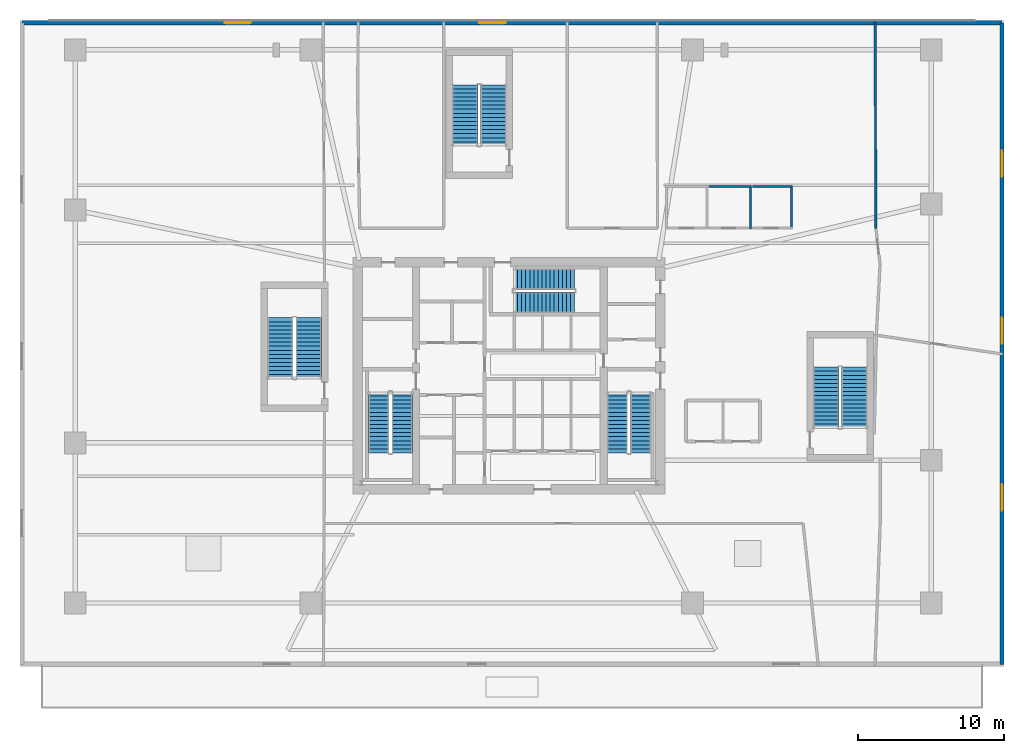
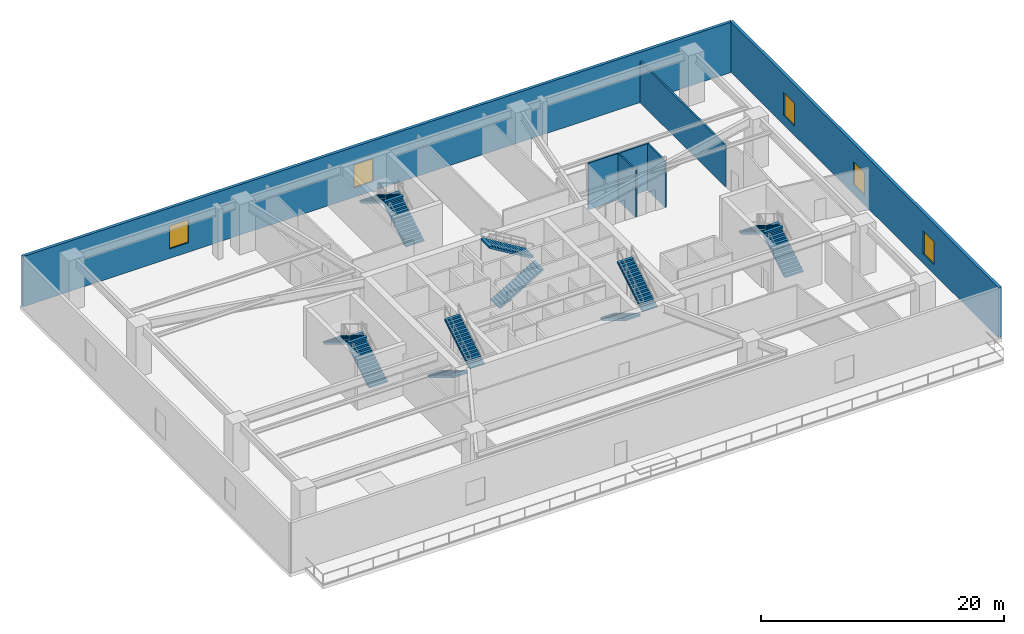
# One storey, part 7 of 11: 12 stair flights, 7 walls, 5 windows, 5 openings, 6 elements without a shape of their own.
"""IFC4 building model written with IfcOpenShell, lengths in metres."""

import ifcopenshell
import ifcopenshell.guid

model = None  # the IFC model being written
_history = None  # IfcOwnerHistory: only IFC2X3 demands one
_inside = {}  # id of a spatial element -> (the spatial element, [elements in it])
_under = {}  # id of a project, library or spatial element -> (it, [spatial elements below it])
_declared = {}  # id of a project -> (the project, [libraries it declares])
_typed = {}  # id of a type object -> (the type object, [elements of that type])
_made_of = {}  # id of a material, layer set ... -> (it, [elements and type objects made of it])


def new_model(schema):
    """Start an empty IFC model of exactly this schema.

    Asked for "IFC4X3", IfcOpenShell would pick the latest addendum, in which some entities
    have other attributes; the version numbers below select the first issue.
    IFC2X3 requires an IfcOwnerHistory on every rooted entity: one is made here for all.
    """
    global model, _history
    if schema == "IFC4X3":
        model = ifcopenshell.file(schema_version=(4, 3, 0, 0))
    else:
        model = ifcopenshell.file(schema=schema)
    _inside.clear()
    _under.clear()
    _declared.clear()
    _typed.clear()
    _made_of.clear()
    _history = None
    if model.schema == "IFC2X3":
        org = make("IfcOrganization", Name="unknown")
        user = make(
            "IfcPersonAndOrganization",
            ThePerson=make("IfcPerson", FamilyName="unknown"),
            TheOrganization=org,
        )
        app = make(
            "IfcApplication",
            ApplicationDeveloper=org,
            Version="unknown",
            ApplicationFullName="unknown",
            ApplicationIdentifier="unknown",
        )
        _history = make(
            "IfcOwnerHistory",
            OwningUser=user,
            OwningApplication=app,
            ChangeAction="ADDED",
            CreationDate=0,
        )
    return model


def make(cls, **values):
    """One entity of the class cls with the attributes given. An attribute that is None is left unset."""
    return model.create_entity(
        cls, **{name: value for name, value in values.items() if value is not None}
    )


def rooted(cls, **values):
    """An entity with a GlobalId (a new one), such as an element, a storey or a relation."""
    return make(cls, GlobalId=ifcopenshell.guid.new(), OwnerHistory=_history, **values)


def si_unit(unit_type, name, prefix=None):
    """IfcSIUnit, for example si_unit("LENGTHUNIT", "METRE", prefix="MILLI")."""
    return make("IfcSIUnit", UnitType=unit_type, Prefix=prefix, Name=name)


def assignment(units):
    """IfcUnitAssignment: the units of a project."""
    return None if units is None else make("IfcUnitAssignment", Units=units)


def point(xyz):
    """IfcCartesianPoint."""
    return None if xyz is None else make("IfcCartesianPoint", Coordinates=xyz)


def direction(xyz):
    """IfcDirection."""
    return None if xyz is None else make("IfcDirection", DirectionRatios=xyz)


def frame(location, z_axis=None, x_axis=None):
    """IfcAxis2Placement3D, a coordinate frame: its origin and axes. An axis left out is left unset."""
    return make(
        "IfcAxis2Placement3D",
        Location=point(location),
        Axis=direction(z_axis),
        RefDirection=direction(x_axis),
    )


def frame_2d(location, x_axis=None):
    """IfcAxis2Placement2D, a coordinate frame in the plane: its origin and x axis."""
    return make(
        "IfcAxis2Placement2D", Location=point(location), RefDirection=direction(x_axis)
    )


def origin():
    """The frame at (0, 0, 0) with its axes left unset."""
    return frame((0.0, 0.0, 0.0))


def place(relative_to, where):
    """IfcLocalPlacement: puts the frame where relative to a parent placement (None: the world)."""
    return make(
        "IfcLocalPlacement", PlacementRelTo=relative_to, RelativePlacement=where
    )


def context(
    kind, dimensions, precision=None, world=None, true_north=None, identifier=None
):
    """IfcGeometricRepresentationContext, for example the 3D "Model" context."""
    return make(
        "IfcGeometricRepresentationContext",
        ContextIdentifier=identifier,
        ContextType=kind,
        CoordinateSpaceDimension=dimensions,
        Precision=precision,
        WorldCoordinateSystem=world,
        TrueNorth=true_north,
    )


def subcontext(parent, identifier, kind, view, scale=None):
    """IfcGeometricRepresentationSubContext, for example "Body" below "Model"."""
    return make(
        "IfcGeometricRepresentationSubContext",
        ContextIdentifier=identifier,
        ContextType=kind,
        ParentContext=parent,
        TargetScale=scale,
        TargetView=view,
    )


def project(units=None, contexts=None):
    """IfcProject with its units and contexts."""
    return rooted(
        "IfcProject",
        Name="project",
        RepresentationContexts=contexts,
        UnitsInContext=assignment(units),
    )


def spatial(cls, under=None, at=None, **own):
    """A site, building, storey or space (cls), placed at a placement, below another one or the project."""
    s = rooted(cls, ObjectPlacement=at, **own)
    if under is not None:
        _under.setdefault(under.id(), (under, []))[1].append(s)
    return s


def polyline(points):
    """IfcPolyline through the points."""
    return make("IfcPolyline", Points=[point(p) for p in points])


def profile(cls, at=None, kind="AREA", **sizes):
    """A parametric profile (cls). Its sizes go by their IFC names, for example OverallWidth=200.0."""
    return make(cls, ProfileType=kind, Position=at, **sizes)


def rectangle(**sizes):
    """IfcRectangleProfileDef."""
    return profile("IfcRectangleProfileDef", **sizes)


def outline(outer, holes=None, kind="AREA"):
    """IfcArbitraryClosedProfileDef: a profile drawn as a closed curve; with holes, ...WithVoids."""
    if holes is None:
        return make("IfcArbitraryClosedProfileDef", ProfileType=kind, OuterCurve=outer)
    return make(
        "IfcArbitraryProfileDefWithVoids",
        ProfileType=kind,
        OuterCurve=outer,
        InnerCurves=holes,
    )


def extrude(swept, where, along, depth):
    """IfcExtrudedAreaSolid: the profile swept, set in the frame where, extruded along a direction by depth."""
    return make(
        "IfcExtrudedAreaSolid",
        SweptArea=swept,
        Position=where,
        ExtrudedDirection=direction(along),
        Depth=depth,
    )


def shape(context_of_items, identifier, shape_type, items):
    """IfcShapeRepresentation: the items that make up one representation, for example the "Body"."""
    return make(
        "IfcShapeRepresentation",
        ContextOfItems=context_of_items,
        RepresentationIdentifier=identifier,
        RepresentationType=shape_type,
        Items=items,
    )


def material(Name=None, Category=None):
    """IfcMaterial."""
    return make("IfcMaterial", Name=Name, Category=Category)


def layer(
    of_material, thickness, ventilated=None, Name=None, Category=None, Priority=None
):
    """IfcMaterialLayer: one layer of a wall or slab, of a material (None: an air gap)."""
    return make(
        "IfcMaterialLayer",
        Material=of_material,
        LayerThickness=thickness,
        IsVentilated=ventilated,
        Name=Name,
        Category=Category,
        Priority=Priority,
    )


def layer_set(layers, Name=None):
    """IfcMaterialLayerSet."""
    return make("IfcMaterialLayerSet", MaterialLayers=layers, LayerSetName=Name)


def made_of(thing, what):
    """Note that an element or type object is made of a material, layer set ...; save() writes the relation."""
    if what is not None:
        _made_of.setdefault(what.id(), (what, []))[1].append(thing)
    return thing


def type_object(cls, material=None, **own):
    """A type object (cls), such as IfcWallType, which elements share."""
    return made_of(rooted(cls, **own), material)


def element(
    cls,
    number,
    at=None,
    inside=None,
    cuts=None,
    type_object=None,
    material=None,
    context=None,
    identifier="Body",
    shape_type=None,
    held_by="IfcProductDefinitionShape",
    body=None,
    shapes=None,
    **own,
):
    """One element of the class cls, such as IfcWall. Its Tag is "e" and its number.

    at: its placement. inside: the storey or other place that contains it. cuts: it is an
    opening in that element (IfcRelVoidsElement). A single representation is given by context,
    identifier, shape_type and body (its items); several are given by shapes. held_by: the class
    of the entity that holds the representations. save() writes the other relations.
    """
    e = rooted(cls, Tag="e%d" % number, ObjectPlacement=at, **own)
    if body is not None:
        shapes = [shape(context, identifier, shape_type, body)]
    if shapes is not None:
        e.Representation = make(held_by, Representations=shapes)
    if inside is not None:
        _inside.setdefault(inside.id(), (inside, []))[1].append(e)
    if cuts is not None:
        rooted(
            "IfcRelVoidsElement", RelatingBuildingElement=cuts, RelatedOpeningElement=e
        )
    if type_object is not None:
        _typed.setdefault(type_object.id(), (type_object, []))[1].append(e)
    return made_of(e, material)


def fill(opening, filler):
    """IfcRelFillsElement: the door or window that sits in an opening."""
    return rooted(
        "IfcRelFillsElement",
        RelatingOpeningElement=opening,
        RelatedBuildingElement=filler,
    )


def aggregate(whole, parts):
    """IfcRelAggregates: a whole, such as a stair, and the parts it consists of."""
    return rooted("IfcRelAggregates", RelatingObject=whole, RelatedObjects=parts)


def save(model, path):
    """Write the relations noted so far, then the file.

    IfcRelAggregates (storeys below a building ...), IfcRelContainedInSpatialStructure (elements
    in a storey), IfcRelDefinesByType, IfcRelAssociatesMaterial and IfcRelDeclares: one each for
    every whole, place, type object, material and project.
    """
    for whole, parts in _under.values():
        aggregate(whole, parts)
    for where, things in _inside.values():
        rooted(
            "IfcRelContainedInSpatialStructure",
            RelatedElements=things,
            RelatingStructure=where,
        )
    for kind, things in _typed.values():
        rooted("IfcRelDefinesByType", RelatedObjects=things, RelatingType=kind)
    for what, things in _made_of.values():
        rooted("IfcRelAssociatesMaterial", RelatedObjects=things, RelatingMaterial=what)
    for by, libraries in _declared.values():
        rooted("IfcRelDeclares", RelatingContext=by, RelatedDefinitions=libraries)
    model.write(path)


model = new_model("IFC4")

# Units and contexts
model_context = context("Model", 3, precision=1e-05, world=origin(), true_north=direction((0.0, 1.0)))
body_context = subcontext(model_context, "Body", "Model", "MODEL_VIEW")
ifc_project = project(units=[si_unit("LENGTHUNIT", "METRE"), si_unit("AREAUNIT", "SQUARE_METRE"), si_unit("VOLUMEUNIT", "CUBIC_METRE"), si_unit("PLANEANGLEUNIT", "RADIAN"), si_unit("MASSUNIT", "GRAM", prefix="KILO")], contexts=[model_context])

# Site, building, storey
site_placement = place(None, origin())
site = spatial("IfcSite", under=ifc_project, at=site_placement, CompositionType="ELEMENT")
building_placement = place(site_placement, origin())
building = spatial("IfcBuilding", under=site, at=building_placement, Name="Qarnah Convention Tower", CompositionType="ELEMENT")
storey_placement = place(building_placement, frame((0.0, 0.0, 10.800048828125)))
storey = spatial("IfcBuildingStorey", under=building, at=storey_placement, Name="L02", CompositionType="ELEMENT", Elevation=10.800048828125)

# Wall
ifc_material_1 = material(Name="Gypsum partition board")
ifc_layer_1 = layer(ifc_material_1, 0.159912109375)
ifc_layer_set_1 = layer_set([ifc_layer_1], Name="Gypsum partition board")
wall_type_1 = type_object("IfcWallType", Name="WL-CORR-160", PredefinedType="PARTITIONING", material=ifc_layer_set_1)
wall_1_placement = place(storey_placement, frame((62.343017578125, 50.743896484375, 0.0), z_axis=(0.0, 0.0, 1.0), x_axis=(0.00400484937, -0.999991980559, 0.0)))
element("IfcWall", 1, at=wall_1_placement, inside=storey, type_object=wall_type_1, Name="L02 interior wall IW-L02-R-19", PredefinedType="PARTITIONING", context=body_context, shape_type="SweptSolid", body=[
    extrude(rectangle(XDim=14.203857421875, YDim=0.159912109375, at=frame_2d((7.10205078125, 0.0))), origin(), (0.0, 0.0, 1.0), 4.135009765625),
])

# Wall, openings, windows
ifc_material_2 = material(Name="Precast concrete C45/55", Category="concrete")
ifc_layer_2 = layer(ifc_material_2, 0.280029296875)
ifc_layer_set_2 = layer_set([ifc_layer_2], Name="Precast concrete C45/55")
wall_type_2 = type_object("IfcWallType", Name="WL-EXT-POD-280", PredefinedType="SOLIDWALL", material=ifc_layer_set_2)
wall_2_placement = place(storey_placement, frame((3.739990234375, 50.659912109375, 0.0), z_axis=(0.0, 0.0, 1.0), x_axis=(1.0, 0.0, 0.0)))
wall_2 = element("IfcWall", 2, at=wall_2_placement, inside=storey, type_object=wall_type_2, Name="L02 precast facade wall N", PredefinedType="SOLIDWALL", context=body_context, shape_type="SweptSolid", body=[
    extrude(rectangle(XDim=67.320068359375, YDim=0.280029296875, at=frame_2d((33.66015625, 0.0))), origin(), (0.0, 0.0, 1.0), 5.050048828125),
])
opening_1_placement = place(wall_2_placement, frame((13.909912109375, 0.0, 0.949951171875)))
opening_1 = element("IfcOpeningElement", 3, at=opening_1_placement, cuts=wall_2, Name="Opening WN2", PredefinedType="OPENING", context=body_context, shape_type="SweptSolid", body=[
    extrude(rectangle(XDim=1.800048828125, YDim=2.300048828125, at=frame_2d((0.89990234375, 1.14990234375))), frame((0.0, 0.14990234375, 0.0), z_axis=(0.0, -1.0, 0.0), x_axis=(1.0, 0.0, 0.0)), (0.0, 0.0, 1.0), 0.300048828125),
])
opening_2_placement = place(wall_2_placement, frame((31.4140625, 0.0, 0.949951171875)))
opening_2 = element("IfcOpeningElement", 4, at=opening_2_placement, cuts=wall_2, Name="Opening WN2", PredefinedType="OPENING", context=body_context, shape_type="SweptSolid", body=[
    extrude(rectangle(XDim=1.800048828125, YDim=2.300048828125, at=frame_2d((0.89990234375, 1.14990234375))), frame((0.0, 0.14990234375, 0.0), z_axis=(0.0, -1.0, 0.0), x_axis=(1.0, 0.0, 0.0)), (0.0, 0.0, 1.0), 0.300048828125),
])
ifc_material_3 = material(Name="Tempered Low-E dark glass", Category="glass")
window_type = type_object("IfcWindowType", Name="WT-POD-1800X2400", PartitioningType="SINGLE_PANEL", PredefinedType="WINDOW", material=ifc_material_3)
window_1_placement = place(opening_1_placement, origin())
window_1 = element("IfcWindow", 5, at=window_1_placement, inside=storey, type_object=window_type, Name="Window WIN-L02-N1", OverallHeight=2.300048828125, OverallWidth=1.800048828125, PartitioningType="SINGLE_PANEL", PredefinedType="WINDOW", context=body_context, shape_type="SweptSolid", body=[
    extrude(rectangle(XDim=1.800048828125, YDim=2.300048828125, at=frame_2d((0.89990234375, 1.14990234375))), frame((0.0, 0.030029296875, 0.0), z_axis=(0.0, -1.0, 0.0), x_axis=(1.0, 0.0, 0.0)), (0.0, 0.0, 1.0), 0.06005859375),
])
fill(opening_1, window_1)
window_2_placement = place(opening_2_placement, origin())
window_2 = element("IfcWindow", 6, at=window_2_placement, inside=storey, type_object=window_type, Name="Window WIN-L02-N2", OverallHeight=2.300048828125, OverallWidth=1.800048828125, PartitioningType="SINGLE_PANEL", PredefinedType="WINDOW", context=body_context, shape_type="SweptSolid", body=[
    extrude(rectangle(XDim=1.800048828125, YDim=2.300048828125, at=frame_2d((0.89990234375, 1.14990234375))), frame((0.0, 0.030029296875, 0.0), z_axis=(0.0, -1.0, 0.0), x_axis=(1.0, 0.0, 0.0)), (0.0, 0.0, 1.0), 0.06005859375),
])
fill(opening_2, window_2)

wall_3_placement = place(storey_placement, frame((71.06005859375, 50.659912109375, 0.0), z_axis=(0.0, 0.0, 1.0), x_axis=(0.0, -1.0, 0.0)))
wall_3 = element("IfcWall", 7, at=wall_3_placement, inside=storey, type_object=wall_type_2, Name="L02 precast facade wall E", PredefinedType="SOLIDWALL", context=body_context, shape_type="SweptSolid", body=[
    extrude(rectangle(XDim=44.06982421875, YDim=0.280029296875, at=frame_2d((22.034912109375, 0.0))), origin(), (0.0, 0.0, 1.0), 5.050048828125),
])
opening_3_placement = place(wall_3_placement, frame((8.794921875, 0.0, 0.949951171875)))
opening_3 = element("IfcOpeningElement", 8, at=opening_3_placement, cuts=wall_3, Name="Opening WN2", PredefinedType="OPENING", context=body_context, shape_type="SweptSolid", body=[
    extrude(rectangle(XDim=1.800048828125, YDim=2.300048828125, at=frame_2d((0.89990234375, 1.14990234375))), frame((0.0, 0.14990234375, 0.0), z_axis=(0.0, -1.0, 0.0), x_axis=(1.0, 0.0, 0.0)), (0.0, 0.0, 1.0), 0.300048828125),
])
opening_4_placement = place(wall_3_placement, frame((20.25390625, 0.0, 0.949951171875)))
opening_4 = element("IfcOpeningElement", 9, at=opening_4_placement, cuts=wall_3, Name="Opening WN2", PredefinedType="OPENING", context=body_context, shape_type="SweptSolid", body=[
    extrude(rectangle(XDim=1.800048828125, YDim=2.300048828125, at=frame_2d((0.89990234375, 1.14990234375))), frame((0.0, 0.14990234375, 0.0), z_axis=(0.0, -1.0, 0.0), x_axis=(1.0, 0.0, 0.0)), (0.0, 0.0, 1.0), 0.300048828125),
])
opening_5_placement = place(wall_3_placement, frame((31.7119140625, 0.0, 0.949951171875)))
opening_5 = element("IfcOpeningElement", 10, at=opening_5_placement, cuts=wall_3, Name="Opening WN2", PredefinedType="OPENING", context=body_context, shape_type="SweptSolid", body=[
    extrude(rectangle(XDim=1.800048828125, YDim=2.300048828125, at=frame_2d((0.89990234375, 1.14990234375))), frame((0.0, 0.14990234375, 0.0), z_axis=(0.0, -1.0, 0.0), x_axis=(1.0, 0.0, 0.0)), (0.0, 0.0, 1.0), 0.300048828125),
])
window_3_placement = place(opening_3_placement, origin())
window_3 = element("IfcWindow", 11, at=window_3_placement, inside=storey, type_object=window_type, Name="Window WIN-L02-E1", OverallHeight=2.300048828125, OverallWidth=1.800048828125, PartitioningType="SINGLE_PANEL", PredefinedType="WINDOW", context=body_context, shape_type="SweptSolid", body=[
    extrude(rectangle(XDim=1.800048828125, YDim=2.300048828125, at=frame_2d((0.89990234375, 1.14990234375))), frame((0.0, 0.030029296875, 0.0), z_axis=(0.0, -1.0, 0.0), x_axis=(1.0, 0.0, 0.0)), (0.0, 0.0, 1.0), 0.06005859375),
])
fill(opening_3, window_3)
window_4_placement = place(opening_4_placement, origin())
window_4 = element("IfcWindow", 12, at=window_4_placement, inside=storey, type_object=window_type, Name="Window WIN-L02-E2", OverallHeight=2.300048828125, OverallWidth=1.800048828125, PartitioningType="SINGLE_PANEL", PredefinedType="WINDOW", context=body_context, shape_type="SweptSolid", body=[
    extrude(rectangle(XDim=1.800048828125, YDim=2.300048828125, at=frame_2d((0.89990234375, 1.14990234375))), frame((0.0, 0.030029296875, 0.0), z_axis=(0.0, -1.0, 0.0), x_axis=(1.0, 0.0, 0.0)), (0.0, 0.0, 1.0), 0.06005859375),
])
fill(opening_4, window_4)
window_5_placement = place(opening_5_placement, origin())
window_5 = element("IfcWindow", 13, at=window_5_placement, inside=storey, type_object=window_type, Name="Window WIN-L02-E3", OverallHeight=2.300048828125, OverallWidth=1.800048828125, PartitioningType="SINGLE_PANEL", PredefinedType="WINDOW", context=body_context, shape_type="SweptSolid", body=[
    extrude(rectangle(XDim=1.800048828125, YDim=2.300048828125, at=frame_2d((0.89990234375, 1.14990234375))), frame((0.0, 0.030029296875, 0.0), z_axis=(0.0, -1.0, 0.0), x_axis=(1.0, 0.0, 0.0)), (0.0, 0.0, 1.0), 0.06005859375),
])
fill(opening_5, window_5)

# Walls
ifc_layer_3 = layer(ifc_material_1, 0.139892578125)
ifc_layer_set_3 = layer_set([ifc_layer_3], Name="Gypsum partition board")
wall_type_3 = type_object("IfcWallType", Name="WL-WET-140", PredefinedType="PARTITIONING", material=ifc_layer_set_3)
wall_4_placement = place(storey_placement, frame((53.800048828125, 36.47998046875, 0.0), z_axis=(0.0, 0.0, 1.0), x_axis=(0.0, 1.0, 0.0)))
element("IfcWall", 14, at=wall_4_placement, inside=storey, type_object=wall_type_3, Name="L02 interior wall IW-L02-WCF-2", PredefinedType="PARTITIONING", context=body_context, shape_type="SweptSolid", body=[
    extrude(rectangle(XDim=2.989990234375, YDim=0.139892578125, at=frame_2d((1.4951171875, 0.0))), origin(), (0.0, 0.0, 1.0), 4.678955078125),
])
wall_5_placement = place(storey_placement, frame((53.8701171875, 39.39990234375, 0.0), z_axis=(0.0, 0.0, 1.0), x_axis=(-1.0, 0.0, 0.0)))
element("IfcWall", 15, at=wall_5_placement, inside=storey, type_object=wall_type_3, Name="L02 interior wall IW-L02-WCF-3", PredefinedType="PARTITIONING", context=body_context, shape_type="SweptSolid", body=[
    extrude(rectangle(XDim=2.940185546875, YDim=0.139892578125, at=frame_2d((1.47021484375, 0.0))), origin(), (0.0, 0.0, 1.0), 4.678955078125),
])
wall_6_placement = place(storey_placement, frame((56.60009765625, 36.47998046875, 0.0), z_axis=(0.0, 0.0, 1.0), x_axis=(0.0, 1.0, 0.0)))
element("IfcWall", 16, at=wall_6_placement, inside=storey, type_object=wall_type_3, Name="L02 interior wall IW-L02-WCA-2", PredefinedType="PARTITIONING", context=body_context, shape_type="SweptSolid", body=[
    extrude(rectangle(XDim=2.989990234375, YDim=0.139892578125, at=frame_2d((1.4951171875, 0.0))), origin(), (0.0, 0.0, 1.0), 4.678955078125),
])
wall_7_placement = place(storey_placement, frame((56.669921875, 39.39990234375, 0.0), z_axis=(0.0, 0.0, 1.0), x_axis=(-1.0, 0.0, 0.0)))
element("IfcWall", 17, at=wall_7_placement, inside=storey, type_object=wall_type_3, Name="L02 interior wall IW-L02-WCA-3", PredefinedType="PARTITIONING", context=body_context, shape_type="SweptSolid", body=[
    extrude(rectangle(XDim=2.739990234375, YDim=0.139892578125, at=frame_2d((1.3701171875, 0.0))), origin(), (0.0, 0.0, 1.0), 4.678955078125),
])

# Stair, stair flights
ifc_material_4 = material(Name="Concrete C50/60", Category="concrete")
stair_type_1 = type_object("IfcStairType", Name="STR-POD", PredefinedType="HALF_TURN_STAIR", material=ifc_material_4)
stair_1_placement = place(storey_placement, origin())
stair_1 = element("IfcStair", 18, at=stair_1_placement, inside=storey, type_object=stair_type_1, Name="L02 Core exit stair ST-1", PredefinedType="HALF_TURN_STAIR")
stair_flight_type_1 = type_object("IfcStairFlightType", Name="FLT-POD", PredefinedType="STRAIGHT", material=ifc_material_4)
stair_flight_1_placement = place(storey_placement, frame((28.25, 25.300048828125, 0.0), z_axis=(0.0, 0.0, 1.0), x_axis=(0.0, -1.0, 0.0)))
stair_flight_1 = element("IfcStairFlight", 19, at=stair_flight_1_placement, type_object=stair_flight_type_1, Name="ST-1 flight 1", NumberOfRisers=16, NumberOfTreads=15, PredefinedType="STRAIGHT", RiserHeight=0.16875, TreadLength=0.28, context=body_context, shape_type="SweptSolid", body=[
    extrude(outline(polyline([(0.0, 0.0), (0.0, 0.168701171875), (0.280029296875, 0.168701171875), (0.280029296875, 0.33740234375), (0.56005859375, 0.33740234375), (0.56005859375, 0.50634765625), (0.840087890625, 0.50634765625), (0.840087890625, 0.675048828125), (1.1201171875, 0.675048828125), (1.1201171875, 0.84375), (1.39990234375, 0.84375), (1.39990234375, 1.012451171875), (1.679931640625, 1.012451171875), (1.679931640625, 1.18115234375), (1.9599609375, 1.18115234375), (1.9599609375, 1.35009765625), (2.239990234375, 1.35009765625), (2.239990234375, 1.518798828125), (2.52001953125, 1.518798828125), (2.52001953125, 1.6875), (2.800048828125, 1.6875), (2.800048828125, 1.856201171875), (3.080078125, 1.856201171875), (3.080078125, 2.02490234375), (3.360107421875, 2.02490234375), (3.360107421875, 2.19384765625), (3.639892578125, 2.19384765625), (3.639892578125, 2.362548828125), (3.919921875, 2.362548828125), (3.919921875, 2.53125), (4.199951171875, 2.53125), (4.199951171875, 2.699951171875), (4.199951171875, 2.356201171875), (0.29052734375, 0.0), (0.0, 0.0)])), frame((0.0, 0.699951171875, 0.0), z_axis=(0.0, -1.0, 0.0), x_axis=(1.0, 0.0, 0.0)), (0.0, 0.0, 1.0), 1.39990234375),
])
stair_flight_2_placement = place(storey_placement, frame((29.85009765625, 21.10009765625, 2.699951171875), z_axis=(0.0, 0.0, 1.0), x_axis=(0.0, 1.0, 0.0)))
stair_flight_2 = element("IfcStairFlight", 20, at=stair_flight_2_placement, type_object=stair_flight_type_1, Name="ST-1 flight 2", NumberOfRisers=16, NumberOfTreads=15, PredefinedType="STRAIGHT", RiserHeight=0.16875, TreadLength=0.28, context=body_context, shape_type="SweptSolid", body=[
    extrude(outline(polyline([(0.0, 0.0), (0.0, 0.168701171875), (0.280029296875, 0.168701171875), (0.280029296875, 0.33740234375), (0.56005859375, 0.33740234375), (0.56005859375, 0.50634765625), (0.840087890625, 0.50634765625), (0.840087890625, 0.675048828125), (1.1201171875, 0.675048828125), (1.1201171875, 0.84375), (1.39990234375, 0.84375), (1.39990234375, 1.012451171875), (1.679931640625, 1.012451171875), (1.679931640625, 1.18115234375), (1.9599609375, 1.18115234375), (1.9599609375, 1.35009765625), (2.239990234375, 1.35009765625), (2.239990234375, 1.518798828125), (2.52001953125, 1.518798828125), (2.52001953125, 1.6875), (2.800048828125, 1.6875), (2.800048828125, 1.856201171875), (3.080078125, 1.856201171875), (3.080078125, 2.02490234375), (3.360107421875, 2.02490234375), (3.360107421875, 2.19384765625), (3.639892578125, 2.19384765625), (3.639892578125, 2.362548828125), (3.919921875, 2.362548828125), (3.919921875, 2.53125), (4.199951171875, 2.53125), (4.199951171875, 2.699951171875), (4.199951171875, 2.356201171875), (0.29052734375, 0.0), (0.0, 0.0)])), frame((0.0, 0.699951171875, 0.0), z_axis=(0.0, -1.0, 0.0), x_axis=(1.0, 0.0, 0.0)), (0.0, 0.0, 1.0), 1.39990234375),
])
aggregate(stair_1, [stair_flight_1, stair_flight_2])

stair_2_placement = place(storey_placement, origin())
stair_2 = element("IfcStair", 21, at=stair_2_placement, inside=storey, type_object=stair_type_1, Name="L02 Core exit stair ST-2", PredefinedType="HALF_TURN_STAIR")
stair_flight_3_placement = place(storey_placement, frame((44.64990234375, 25.300048828125, 0.0), z_axis=(0.0, 0.0, 1.0), x_axis=(0.0, -1.0, 0.0)))
stair_flight_3 = element("IfcStairFlight", 22, at=stair_flight_3_placement, type_object=stair_flight_type_1, Name="ST-2 flight 1", NumberOfRisers=16, NumberOfTreads=15, PredefinedType="STRAIGHT", RiserHeight=0.16875, TreadLength=0.28, context=body_context, shape_type="SweptSolid", body=[
    extrude(outline(polyline([(0.0, 0.0), (0.0, 0.168701171875), (0.280029296875, 0.168701171875), (0.280029296875, 0.33740234375), (0.56005859375, 0.33740234375), (0.56005859375, 0.50634765625), (0.840087890625, 0.50634765625), (0.840087890625, 0.675048828125), (1.1201171875, 0.675048828125), (1.1201171875, 0.84375), (1.39990234375, 0.84375), (1.39990234375, 1.012451171875), (1.679931640625, 1.012451171875), (1.679931640625, 1.18115234375), (1.9599609375, 1.18115234375), (1.9599609375, 1.35009765625), (2.239990234375, 1.35009765625), (2.239990234375, 1.518798828125), (2.52001953125, 1.518798828125), (2.52001953125, 1.6875), (2.800048828125, 1.6875), (2.800048828125, 1.856201171875), (3.080078125, 1.856201171875), (3.080078125, 2.02490234375), (3.360107421875, 2.02490234375), (3.360107421875, 2.19384765625), (3.639892578125, 2.19384765625), (3.639892578125, 2.362548828125), (3.919921875, 2.362548828125), (3.919921875, 2.53125), (4.199951171875, 2.53125), (4.199951171875, 2.699951171875), (4.199951171875, 2.356201171875), (0.29052734375, 0.0), (0.0, 0.0)])), frame((0.0, 0.699951171875, 0.0), z_axis=(0.0, -1.0, 0.0), x_axis=(1.0, 0.0, 0.0)), (0.0, 0.0, 1.0), 1.39990234375),
])
stair_flight_4_placement = place(storey_placement, frame((46.25, 21.10009765625, 2.699951171875), z_axis=(0.0, 0.0, 1.0), x_axis=(0.0, 1.0, 0.0)))
stair_flight_4 = element("IfcStairFlight", 23, at=stair_flight_4_placement, type_object=stair_flight_type_1, Name="ST-2 flight 2", NumberOfRisers=16, NumberOfTreads=15, PredefinedType="STRAIGHT", RiserHeight=0.16875, TreadLength=0.28, context=body_context, shape_type="SweptSolid", body=[
    extrude(outline(polyline([(0.0, 0.0), (0.0, 0.168701171875), (0.280029296875, 0.168701171875), (0.280029296875, 0.33740234375), (0.56005859375, 0.33740234375), (0.56005859375, 0.50634765625), (0.840087890625, 0.50634765625), (0.840087890625, 0.675048828125), (1.1201171875, 0.675048828125), (1.1201171875, 0.84375), (1.39990234375, 0.84375), (1.39990234375, 1.012451171875), (1.679931640625, 1.012451171875), (1.679931640625, 1.18115234375), (1.9599609375, 1.18115234375), (1.9599609375, 1.35009765625), (2.239990234375, 1.35009765625), (2.239990234375, 1.518798828125), (2.52001953125, 1.518798828125), (2.52001953125, 1.6875), (2.800048828125, 1.6875), (2.800048828125, 1.856201171875), (3.080078125, 1.856201171875), (3.080078125, 2.02490234375), (3.360107421875, 2.02490234375), (3.360107421875, 2.19384765625), (3.639892578125, 2.19384765625), (3.639892578125, 2.362548828125), (3.919921875, 2.362548828125), (3.919921875, 2.53125), (4.199951171875, 2.53125), (4.199951171875, 2.699951171875), (4.199951171875, 2.356201171875), (0.29052734375, 0.0), (0.0, 0.0)])), frame((0.0, 0.699951171875, 0.0), z_axis=(0.0, -1.0, 0.0), x_axis=(1.0, 0.0, 0.0)), (0.0, 0.0, 1.0), 1.39990234375),
])
aggregate(stair_2, [stair_flight_3, stair_flight_4])

stair_3_placement = place(storey_placement, origin())
stair_3 = element("IfcStair", 24, at=stair_3_placement, inside=storey, type_object=stair_type_1, Name="L02 Core exit stair ST-3", PredefinedType="HALF_TURN_STAIR")
stair_flight_5_placement = place(storey_placement, frame((37.5, 31.449951171875, 0.0), z_axis=(0.0, 0.0, 1.0), x_axis=(1.0, 0.0, 0.0)))
stair_flight_5 = element("IfcStairFlight", 25, at=stair_flight_5_placement, type_object=stair_flight_type_1, Name="ST-3 flight 1", NumberOfRisers=16, NumberOfTreads=15, PredefinedType="STRAIGHT", RiserHeight=0.16875, TreadLength=0.28, context=body_context, shape_type="SweptSolid", body=[
    extrude(outline(polyline([(0.0, 0.0), (0.0, 0.168701171875), (0.280029296875, 0.168701171875), (0.280029296875, 0.33740234375), (0.56005859375, 0.33740234375), (0.56005859375, 0.50634765625), (0.840087890625, 0.50634765625), (0.840087890625, 0.675048828125), (1.1201171875, 0.675048828125), (1.1201171875, 0.84375), (1.39990234375, 0.84375), (1.39990234375, 1.012451171875), (1.679931640625, 1.012451171875), (1.679931640625, 1.18115234375), (1.9599609375, 1.18115234375), (1.9599609375, 1.35009765625), (2.239990234375, 1.35009765625), (2.239990234375, 1.518798828125), (2.52001953125, 1.518798828125), (2.52001953125, 1.6875), (2.800048828125, 1.6875), (2.800048828125, 1.856201171875), (3.080078125, 1.856201171875), (3.080078125, 2.02490234375), (3.360107421875, 2.02490234375), (3.360107421875, 2.19384765625), (3.639892578125, 2.19384765625), (3.639892578125, 2.362548828125), (3.919921875, 2.362548828125), (3.919921875, 2.53125), (4.199951171875, 2.53125), (4.199951171875, 2.699951171875), (4.199951171875, 2.356201171875), (0.29052734375, 0.0), (0.0, 0.0)])), frame((0.0, 0.699951171875, 0.0), z_axis=(0.0, -1.0, 0.0), x_axis=(1.0, 0.0, 0.0)), (0.0, 0.0, 1.0), 1.39990234375),
])
stair_flight_6_placement = place(storey_placement, frame((41.699951171875, 33.050048828125, 2.699951171875), z_axis=(0.0, 0.0, 1.0), x_axis=(-1.0, 0.0, 0.0)))
stair_flight_6 = element("IfcStairFlight", 26, at=stair_flight_6_placement, type_object=stair_flight_type_1, Name="ST-3 flight 2", NumberOfRisers=16, NumberOfTreads=15, PredefinedType="STRAIGHT", RiserHeight=0.16875, TreadLength=0.28, context=body_context, shape_type="SweptSolid", body=[
    extrude(outline(polyline([(0.0, 0.0), (0.0, 0.168701171875), (0.280029296875, 0.168701171875), (0.280029296875, 0.33740234375), (0.56005859375, 0.33740234375), (0.56005859375, 0.50634765625), (0.840087890625, 0.50634765625), (0.840087890625, 0.675048828125), (1.1201171875, 0.675048828125), (1.1201171875, 0.84375), (1.39990234375, 0.84375), (1.39990234375, 1.012451171875), (1.679931640625, 1.012451171875), (1.679931640625, 1.18115234375), (1.9599609375, 1.18115234375), (1.9599609375, 1.35009765625), (2.239990234375, 1.35009765625), (2.239990234375, 1.518798828125), (2.52001953125, 1.518798828125), (2.52001953125, 1.6875), (2.800048828125, 1.6875), (2.800048828125, 1.856201171875), (3.080078125, 1.856201171875), (3.080078125, 2.02490234375), (3.360107421875, 2.02490234375), (3.360107421875, 2.19384765625), (3.639892578125, 2.19384765625), (3.639892578125, 2.362548828125), (3.919921875, 2.362548828125), (3.919921875, 2.53125), (4.199951171875, 2.53125), (4.199951171875, 2.699951171875), (4.199951171875, 2.356201171875), (0.29052734375, 0.0), (0.0, 0.0)])), frame((0.0, 0.699951171875, 0.0), z_axis=(0.0, -1.0, 0.0), x_axis=(1.0, 0.0, 0.0)), (0.0, 0.0, 1.0), 1.39990234375),
])
aggregate(stair_3, [stair_flight_5, stair_flight_6])

stair_type_2 = type_object("IfcStairType", Name="STR-PODW", PredefinedType="HALF_TURN_STAIR", material=ifc_material_4)
stair_4_placement = place(storey_placement, origin())
stair_4 = element("IfcStair", 27, at=stair_4_placement, inside=storey, type_object=stair_type_2, Name="L02 Podium east convention exit stair ST-4", PredefinedType="HALF_TURN_STAIR")
stair_flight_type_2 = type_object("IfcStairFlightType", Name="FLT-PODW", PredefinedType="STRAIGHT", material=ifc_material_4)
stair_flight_7_placement = place(storey_placement, frame((60.925048828125, 22.800048828125, 0.0), z_axis=(0.0, 0.0, 1.0), x_axis=(0.0, 1.0, 0.0)))
stair_flight_7 = element("IfcStairFlight", 28, at=stair_flight_7_placement, type_object=stair_flight_type_2, Name="ST-4 flight 1", NumberOfRisers=16, NumberOfTreads=15, PredefinedType="STRAIGHT", RiserHeight=0.16875, TreadLength=0.28, context=body_context, shape_type="SweptSolid", body=[
    extrude(outline(polyline([(0.0, 0.0), (0.0, 0.168701171875), (0.280029296875, 0.168701171875), (0.280029296875, 0.33740234375), (0.56005859375, 0.33740234375), (0.56005859375, 0.50634765625), (0.840087890625, 0.50634765625), (0.840087890625, 0.675048828125), (1.1201171875, 0.675048828125), (1.1201171875, 0.84375), (1.39990234375, 0.84375), (1.39990234375, 1.012451171875), (1.679931640625, 1.012451171875), (1.679931640625, 1.18115234375), (1.9599609375, 1.18115234375), (1.9599609375, 1.35009765625), (2.239990234375, 1.35009765625), (2.239990234375, 1.518798828125), (2.52001953125, 1.518798828125), (2.52001953125, 1.6875), (2.800048828125, 1.6875), (2.800048828125, 1.856201171875), (3.080078125, 1.856201171875), (3.080078125, 2.02490234375), (3.360107421875, 2.02490234375), (3.360107421875, 2.19384765625), (3.639892578125, 2.19384765625), (3.639892578125, 2.362548828125), (3.919921875, 2.362548828125), (3.919921875, 2.53125), (4.199951171875, 2.53125), (4.199951171875, 2.699951171875), (4.199951171875, 2.356201171875), (0.29052734375, 0.0), (0.0, 0.0)])), frame((0.0, 0.875, 0.0), z_axis=(0.0, -1.0, 0.0), x_axis=(1.0, 0.0, 0.0)), (0.0, 0.0, 1.0), 1.75),
])
stair_flight_8_placement = place(storey_placement, frame((58.97509765625, 27.0, 2.699951171875), z_axis=(0.0, 0.0, 1.0), x_axis=(0.0, -1.0, 0.0)))
stair_flight_8 = element("IfcStairFlight", 29, at=stair_flight_8_placement, type_object=stair_flight_type_2, Name="ST-4 flight 2", NumberOfRisers=16, NumberOfTreads=15, PredefinedType="STRAIGHT", RiserHeight=0.16875, TreadLength=0.28, context=body_context, shape_type="SweptSolid", body=[
    extrude(outline(polyline([(0.0, 0.0), (0.0, 0.168701171875), (0.280029296875, 0.168701171875), (0.280029296875, 0.33740234375), (0.56005859375, 0.33740234375), (0.56005859375, 0.50634765625), (0.840087890625, 0.50634765625), (0.840087890625, 0.675048828125), (1.1201171875, 0.675048828125), (1.1201171875, 0.84375), (1.39990234375, 0.84375), (1.39990234375, 1.012451171875), (1.679931640625, 1.012451171875), (1.679931640625, 1.18115234375), (1.9599609375, 1.18115234375), (1.9599609375, 1.35009765625), (2.239990234375, 1.35009765625), (2.239990234375, 1.518798828125), (2.52001953125, 1.518798828125), (2.52001953125, 1.6875), (2.800048828125, 1.6875), (2.800048828125, 1.856201171875), (3.080078125, 1.856201171875), (3.080078125, 2.02490234375), (3.360107421875, 2.02490234375), (3.360107421875, 2.19384765625), (3.639892578125, 2.19384765625), (3.639892578125, 2.362548828125), (3.919921875, 2.362548828125), (3.919921875, 2.53125), (4.199951171875, 2.53125), (4.199951171875, 2.699951171875), (4.199951171875, 2.356201171875), (0.29052734375, 0.0), (0.0, 0.0)])), frame((0.0, 0.875, 0.0), z_axis=(0.0, -1.0, 0.0), x_axis=(1.0, 0.0, 0.0)), (0.0, 0.0, 1.0), 1.75),
])
aggregate(stair_4, [stair_flight_7, stair_flight_8])

stair_5_placement = place(storey_placement, origin())
stair_5 = element("IfcStair", 30, at=stair_5_placement, inside=storey, type_object=stair_type_2, Name="L02 Podium west exhibition exit stair ST-5", PredefinedType="HALF_TURN_STAIR")
stair_flight_9_placement = place(storey_placement, frame((23.425048828125, 26.199951171875, 0.0), z_axis=(0.0, 0.0, 1.0), x_axis=(0.0, 1.0, 0.0)))
stair_flight_9 = element("IfcStairFlight", 31, at=stair_flight_9_placement, type_object=stair_flight_type_2, Name="ST-5 flight 1", NumberOfRisers=16, NumberOfTreads=15, PredefinedType="STRAIGHT", RiserHeight=0.16875, TreadLength=0.28, context=body_context, shape_type="SweptSolid", body=[
    extrude(outline(polyline([(0.0, 0.0), (0.0, 0.168701171875), (0.280029296875, 0.168701171875), (0.280029296875, 0.33740234375), (0.56005859375, 0.33740234375), (0.56005859375, 0.50634765625), (0.840087890625, 0.50634765625), (0.840087890625, 0.675048828125), (1.1201171875, 0.675048828125), (1.1201171875, 0.84375), (1.39990234375, 0.84375), (1.39990234375, 1.012451171875), (1.679931640625, 1.012451171875), (1.679931640625, 1.18115234375), (1.9599609375, 1.18115234375), (1.9599609375, 1.35009765625), (2.239990234375, 1.35009765625), (2.239990234375, 1.518798828125), (2.52001953125, 1.518798828125), (2.52001953125, 1.6875), (2.800048828125, 1.6875), (2.800048828125, 1.856201171875), (3.080078125, 1.856201171875), (3.080078125, 2.02490234375), (3.360107421875, 2.02490234375), (3.360107421875, 2.19384765625), (3.639892578125, 2.19384765625), (3.639892578125, 2.362548828125), (3.919921875, 2.362548828125), (3.919921875, 2.53125), (4.199951171875, 2.53125), (4.199951171875, 2.699951171875), (4.199951171875, 2.356201171875), (0.29052734375, 0.0), (0.0, 0.0)])), frame((0.0, 0.875, 0.0), z_axis=(0.0, -1.0, 0.0), x_axis=(1.0, 0.0, 0.0)), (0.0, 0.0, 1.0), 1.75),
])
stair_flight_10_placement = place(storey_placement, frame((21.47509765625, 30.39990234375, 2.699951171875), z_axis=(0.0, 0.0, 1.0), x_axis=(0.0, -1.0, 0.0)))
stair_flight_10 = element("IfcStairFlight", 32, at=stair_flight_10_placement, type_object=stair_flight_type_2, Name="ST-5 flight 2", NumberOfRisers=16, NumberOfTreads=15, PredefinedType="STRAIGHT", RiserHeight=0.16875, TreadLength=0.28, context=body_context, shape_type="SweptSolid", body=[
    extrude(outline(polyline([(0.0, 0.0), (0.0, 0.168701171875), (0.280029296875, 0.168701171875), (0.280029296875, 0.33740234375), (0.56005859375, 0.33740234375), (0.56005859375, 0.50634765625), (0.840087890625, 0.50634765625), (0.840087890625, 0.675048828125), (1.1201171875, 0.675048828125), (1.1201171875, 0.84375), (1.39990234375, 0.84375), (1.39990234375, 1.012451171875), (1.679931640625, 1.012451171875), (1.679931640625, 1.18115234375), (1.9599609375, 1.18115234375), (1.9599609375, 1.35009765625), (2.239990234375, 1.35009765625), (2.239990234375, 1.518798828125), (2.52001953125, 1.518798828125), (2.52001953125, 1.6875), (2.800048828125, 1.6875), (2.800048828125, 1.856201171875), (3.080078125, 1.856201171875), (3.080078125, 2.02490234375), (3.360107421875, 2.02490234375), (3.360107421875, 2.19384765625), (3.639892578125, 2.19384765625), (3.639892578125, 2.362548828125), (3.919921875, 2.362548828125), (3.919921875, 2.53125), (4.199951171875, 2.53125), (4.199951171875, 2.699951171875), (4.199951171875, 2.356201171875), (0.29052734375, 0.0), (0.0, 0.0)])), frame((0.0, 0.875, 0.0), z_axis=(0.0, -1.0, 0.0), x_axis=(1.0, 0.0, 0.0)), (0.0, 0.0, 1.0), 1.75),
])
aggregate(stair_5, [stair_flight_9, stair_flight_10])

stair_6_placement = place(storey_placement, origin())
stair_6 = element("IfcStair", 33, at=stair_6_placement, inside=storey, type_object=stair_type_2, Name="L02 Podium north ballroom exit stair ST-6", PredefinedType="HALF_TURN_STAIR")
stair_flight_11_placement = place(storey_placement, frame((36.125, 42.199951171875, 0.0), z_axis=(0.0, 0.0, 1.0), x_axis=(0.0, 1.0, 0.0)))
stair_flight_11 = element("IfcStairFlight", 34, at=stair_flight_11_placement, type_object=stair_flight_type_2, Name="ST-6 flight 1", NumberOfRisers=16, NumberOfTreads=15, PredefinedType="STRAIGHT", RiserHeight=0.16875, TreadLength=0.28, context=body_context, shape_type="SweptSolid", body=[
    extrude(outline(polyline([(0.0, 0.0), (0.0, 0.168701171875), (0.280029296875, 0.168701171875), (0.280029296875, 0.33740234375), (0.56005859375, 0.33740234375), (0.56005859375, 0.50634765625), (0.840087890625, 0.50634765625), (0.840087890625, 0.675048828125), (1.1201171875, 0.675048828125), (1.1201171875, 0.84375), (1.39990234375, 0.84375), (1.39990234375, 1.012451171875), (1.679931640625, 1.012451171875), (1.679931640625, 1.18115234375), (1.9599609375, 1.18115234375), (1.9599609375, 1.35009765625), (2.239990234375, 1.35009765625), (2.239990234375, 1.518798828125), (2.52001953125, 1.518798828125), (2.52001953125, 1.6875), (2.800048828125, 1.6875), (2.800048828125, 1.856201171875), (3.080078125, 1.856201171875), (3.080078125, 2.02490234375), (3.360107421875, 2.02490234375), (3.360107421875, 2.19384765625), (3.639892578125, 2.19384765625), (3.639892578125, 2.362548828125), (3.919921875, 2.362548828125), (3.919921875, 2.53125), (4.199951171875, 2.53125), (4.199951171875, 2.699951171875), (4.199951171875, 2.356201171875), (0.29052734375, 0.0), (0.0, 0.0)])), frame((0.0, 0.875, 0.0), z_axis=(0.0, -1.0, 0.0), x_axis=(1.0, 0.0, 0.0)), (0.0, 0.0, 1.0), 1.75),
])
stair_flight_12_placement = place(storey_placement, frame((34.175048828125, 46.39990234375, 2.699951171875), z_axis=(0.0, 0.0, 1.0), x_axis=(0.0, -1.0, 0.0)))
stair_flight_12 = element("IfcStairFlight", 35, at=stair_flight_12_placement, type_object=stair_flight_type_2, Name="ST-6 flight 2", NumberOfRisers=16, NumberOfTreads=15, PredefinedType="STRAIGHT", RiserHeight=0.16875, TreadLength=0.28, context=body_context, shape_type="SweptSolid", body=[
    extrude(outline(polyline([(0.0, 0.0), (0.0, 0.168701171875), (0.280029296875, 0.168701171875), (0.280029296875, 0.33740234375), (0.56005859375, 0.33740234375), (0.56005859375, 0.50634765625), (0.840087890625, 0.50634765625), (0.840087890625, 0.675048828125), (1.1201171875, 0.675048828125), (1.1201171875, 0.84375), (1.39990234375, 0.84375), (1.39990234375, 1.012451171875), (1.679931640625, 1.012451171875), (1.679931640625, 1.18115234375), (1.9599609375, 1.18115234375), (1.9599609375, 1.35009765625), (2.239990234375, 1.35009765625), (2.239990234375, 1.518798828125), (2.52001953125, 1.518798828125), (2.52001953125, 1.6875), (2.800048828125, 1.6875), (2.800048828125, 1.856201171875), (3.080078125, 1.856201171875), (3.080078125, 2.02490234375), (3.360107421875, 2.02490234375), (3.360107421875, 2.19384765625), (3.639892578125, 2.19384765625), (3.639892578125, 2.362548828125), (3.919921875, 2.362548828125), (3.919921875, 2.53125), (4.199951171875, 2.53125), (4.199951171875, 2.699951171875), (4.199951171875, 2.356201171875), (0.29052734375, 0.0), (0.0, 0.0)])), frame((0.0, 0.875, 0.0), z_axis=(0.0, -1.0, 0.0), x_axis=(1.0, 0.0, 0.0)), (0.0, 0.0, 1.0), 1.75),
])
aggregate(stair_6, [stair_flight_11, stair_flight_12])

save(model, "model.ifc")
